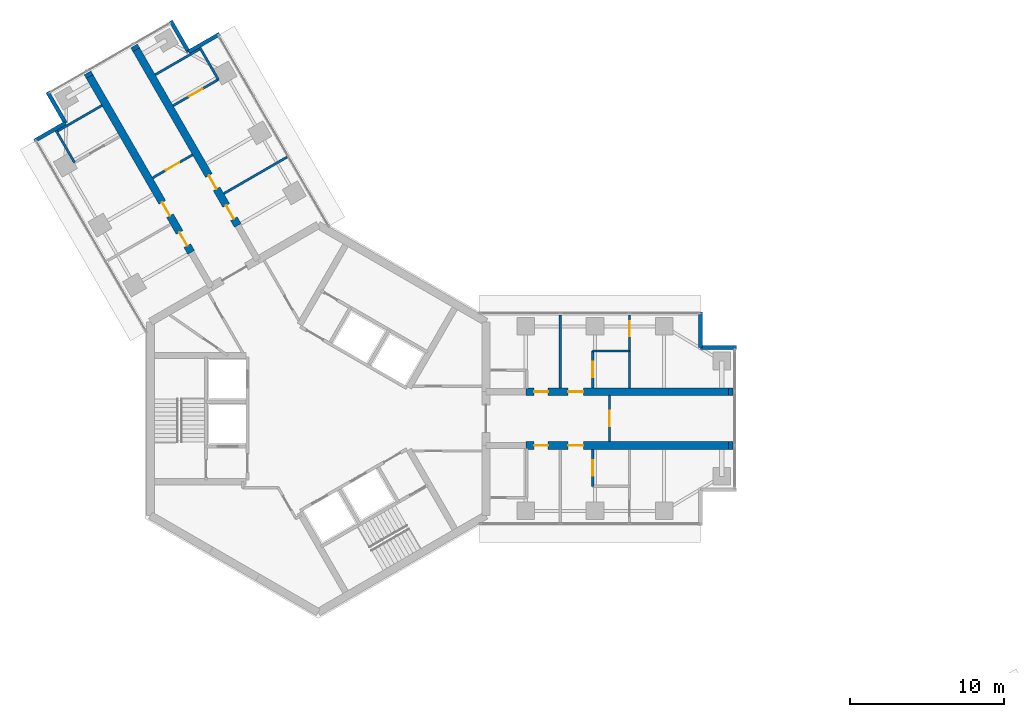
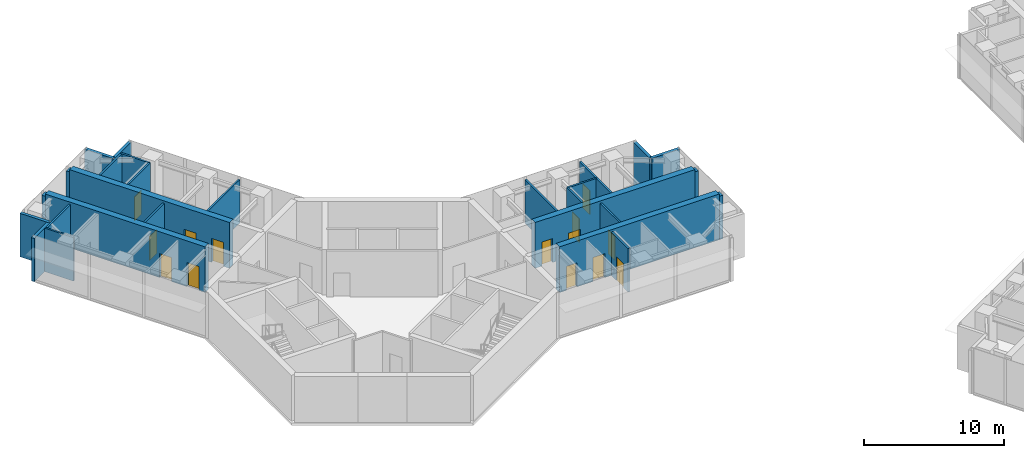
# One storey, part 13 of 17: 27 walls, 14 doors, 14 openings.
"""IFC4 building model written with IfcOpenShell, lengths in metres."""

import ifcopenshell
import ifcopenshell.guid

model = None  # the IFC model being written
_history = None  # IfcOwnerHistory: only IFC2X3 demands one
_inside = {}  # id of a spatial element -> (the spatial element, [elements in it])
_under = {}  # id of a project, library or spatial element -> (it, [spatial elements below it])
_declared = {}  # id of a project -> (the project, [libraries it declares])
_typed = {}  # id of a type object -> (the type object, [elements of that type])
_made_of = {}  # id of a material, layer set ... -> (it, [elements and type objects made of it])


def new_model(schema):
    """Start an empty IFC model of exactly this schema.

    Asked for "IFC4X3", IfcOpenShell would pick the latest addendum, in which some entities
    have other attributes; the version numbers below select the first issue.
    IFC2X3 requires an IfcOwnerHistory on every rooted entity: one is made here for all.
    """
    global model, _history
    if schema == "IFC4X3":
        model = ifcopenshell.file(schema_version=(4, 3, 0, 0))
    else:
        model = ifcopenshell.file(schema=schema)
    _inside.clear()
    _under.clear()
    _declared.clear()
    _typed.clear()
    _made_of.clear()
    _history = None
    if model.schema == "IFC2X3":
        org = make("IfcOrganization", Name="unknown")
        user = make(
            "IfcPersonAndOrganization",
            ThePerson=make("IfcPerson", FamilyName="unknown"),
            TheOrganization=org,
        )
        app = make(
            "IfcApplication",
            ApplicationDeveloper=org,
            Version="unknown",
            ApplicationFullName="unknown",
            ApplicationIdentifier="unknown",
        )
        _history = make(
            "IfcOwnerHistory",
            OwningUser=user,
            OwningApplication=app,
            ChangeAction="ADDED",
            CreationDate=0,
        )
    return model


def make(cls, **values):
    """One entity of the class cls with the attributes given. An attribute that is None is left unset."""
    return model.create_entity(
        cls, **{name: value for name, value in values.items() if value is not None}
    )


def rooted(cls, **values):
    """An entity with a GlobalId (a new one), such as an element, a storey or a relation."""
    return make(cls, GlobalId=ifcopenshell.guid.new(), OwnerHistory=_history, **values)


def si_unit(unit_type, name, prefix=None):
    """IfcSIUnit, for example si_unit("LENGTHUNIT", "METRE", prefix="MILLI")."""
    return make("IfcSIUnit", UnitType=unit_type, Prefix=prefix, Name=name)


def assignment(units):
    """IfcUnitAssignment: the units of a project."""
    return None if units is None else make("IfcUnitAssignment", Units=units)


def point(xyz):
    """IfcCartesianPoint."""
    return None if xyz is None else make("IfcCartesianPoint", Coordinates=xyz)


def direction(xyz):
    """IfcDirection."""
    return None if xyz is None else make("IfcDirection", DirectionRatios=xyz)


def frame(location, z_axis=None, x_axis=None):
    """IfcAxis2Placement3D, a coordinate frame: its origin and axes. An axis left out is left unset."""
    return make(
        "IfcAxis2Placement3D",
        Location=point(location),
        Axis=direction(z_axis),
        RefDirection=direction(x_axis),
    )


def frame_2d(location, x_axis=None):
    """IfcAxis2Placement2D, a coordinate frame in the plane: its origin and x axis."""
    return make(
        "IfcAxis2Placement2D", Location=point(location), RefDirection=direction(x_axis)
    )


def origin():
    """The frame at (0, 0, 0) with its axes left unset."""
    return frame((0.0, 0.0, 0.0))


def place(relative_to, where):
    """IfcLocalPlacement: puts the frame where relative to a parent placement (None: the world)."""
    return make(
        "IfcLocalPlacement", PlacementRelTo=relative_to, RelativePlacement=where
    )


def context(
    kind, dimensions, precision=None, world=None, true_north=None, identifier=None
):
    """IfcGeometricRepresentationContext, for example the 3D "Model" context."""
    return make(
        "IfcGeometricRepresentationContext",
        ContextIdentifier=identifier,
        ContextType=kind,
        CoordinateSpaceDimension=dimensions,
        Precision=precision,
        WorldCoordinateSystem=world,
        TrueNorth=true_north,
    )


def subcontext(parent, identifier, kind, view, scale=None):
    """IfcGeometricRepresentationSubContext, for example "Body" below "Model"."""
    return make(
        "IfcGeometricRepresentationSubContext",
        ContextIdentifier=identifier,
        ContextType=kind,
        ParentContext=parent,
        TargetScale=scale,
        TargetView=view,
    )


def project(units=None, contexts=None):
    """IfcProject with its units and contexts."""
    return rooted(
        "IfcProject",
        Name="project",
        RepresentationContexts=contexts,
        UnitsInContext=assignment(units),
    )


def spatial(cls, under=None, at=None, **own):
    """A site, building, storey or space (cls), placed at a placement, below another one or the project."""
    s = rooted(cls, ObjectPlacement=at, **own)
    if under is not None:
        _under.setdefault(under.id(), (under, []))[1].append(s)
    return s


def profile(cls, at=None, kind="AREA", **sizes):
    """A parametric profile (cls). Its sizes go by their IFC names, for example OverallWidth=200.0."""
    return make(cls, ProfileType=kind, Position=at, **sizes)


def rectangle(**sizes):
    """IfcRectangleProfileDef."""
    return profile("IfcRectangleProfileDef", **sizes)


def extrude(swept, where, along, depth):
    """IfcExtrudedAreaSolid: the profile swept, set in the frame where, extruded along a direction by depth."""
    return make(
        "IfcExtrudedAreaSolid",
        SweptArea=swept,
        Position=where,
        ExtrudedDirection=direction(along),
        Depth=depth,
    )


def shape(context_of_items, identifier, shape_type, items):
    """IfcShapeRepresentation: the items that make up one representation, for example the "Body"."""
    return make(
        "IfcShapeRepresentation",
        ContextOfItems=context_of_items,
        RepresentationIdentifier=identifier,
        RepresentationType=shape_type,
        Items=items,
    )


def material(Name=None, Category=None):
    """IfcMaterial."""
    return make("IfcMaterial", Name=Name, Category=Category)


def layer(
    of_material, thickness, ventilated=None, Name=None, Category=None, Priority=None
):
    """IfcMaterialLayer: one layer of a wall or slab, of a material (None: an air gap)."""
    return make(
        "IfcMaterialLayer",
        Material=of_material,
        LayerThickness=thickness,
        IsVentilated=ventilated,
        Name=Name,
        Category=Category,
        Priority=Priority,
    )


def layer_set(layers, Name=None):
    """IfcMaterialLayerSet."""
    return make("IfcMaterialLayerSet", MaterialLayers=layers, LayerSetName=Name)


def made_of(thing, what):
    """Note that an element or type object is made of a material, layer set ...; save() writes the relation."""
    if what is not None:
        _made_of.setdefault(what.id(), (what, []))[1].append(thing)
    return thing


def type_object(cls, material=None, **own):
    """A type object (cls), such as IfcWallType, which elements share."""
    return made_of(rooted(cls, **own), material)


def element(
    cls,
    number,
    at=None,
    inside=None,
    cuts=None,
    type_object=None,
    material=None,
    context=None,
    identifier="Body",
    shape_type=None,
    held_by="IfcProductDefinitionShape",
    body=None,
    shapes=None,
    **own,
):
    """One element of the class cls, such as IfcWall. Its Tag is "e" and its number.

    at: its placement. inside: the storey or other place that contains it. cuts: it is an
    opening in that element (IfcRelVoidsElement). A single representation is given by context,
    identifier, shape_type and body (its items); several are given by shapes. held_by: the class
    of the entity that holds the representations. save() writes the other relations.
    """
    e = rooted(cls, Tag="e%d" % number, ObjectPlacement=at, **own)
    if body is not None:
        shapes = [shape(context, identifier, shape_type, body)]
    if shapes is not None:
        e.Representation = make(held_by, Representations=shapes)
    if inside is not None:
        _inside.setdefault(inside.id(), (inside, []))[1].append(e)
    if cuts is not None:
        rooted(
            "IfcRelVoidsElement", RelatingBuildingElement=cuts, RelatedOpeningElement=e
        )
    if type_object is not None:
        _typed.setdefault(type_object.id(), (type_object, []))[1].append(e)
    return made_of(e, material)


def fill(opening, filler):
    """IfcRelFillsElement: the door or window that sits in an opening."""
    return rooted(
        "IfcRelFillsElement",
        RelatingOpeningElement=opening,
        RelatedBuildingElement=filler,
    )


def aggregate(whole, parts):
    """IfcRelAggregates: a whole, such as a stair, and the parts it consists of."""
    return rooted("IfcRelAggregates", RelatingObject=whole, RelatedObjects=parts)


def save(model, path):
    """Write the relations noted so far, then the file.

    IfcRelAggregates (storeys below a building ...), IfcRelContainedInSpatialStructure (elements
    in a storey), IfcRelDefinesByType, IfcRelAssociatesMaterial and IfcRelDeclares: one each for
    every whole, place, type object, material and project.
    """
    for whole, parts in _under.values():
        aggregate(whole, parts)
    for where, things in _inside.values():
        rooted(
            "IfcRelContainedInSpatialStructure",
            RelatedElements=things,
            RelatingStructure=where,
        )
    for kind, things in _typed.values():
        rooted("IfcRelDefinesByType", RelatedObjects=things, RelatingType=kind)
    for what, things in _made_of.values():
        rooted("IfcRelAssociatesMaterial", RelatedObjects=things, RelatingMaterial=what)
    for by, libraries in _declared.values():
        rooted("IfcRelDeclares", RelatingContext=by, RelatedDefinitions=libraries)
    model.write(path)


model = new_model("IFC4")

# Units and contexts
model_context = context("Model", 3, precision=1e-05, world=origin(), true_north=direction((0.0, 1.0)))
body_context = subcontext(model_context, "Body", "Model", "MODEL_VIEW")
ifc_project = project(units=[si_unit("LENGTHUNIT", "METRE"), si_unit("AREAUNIT", "SQUARE_METRE"), si_unit("VOLUMEUNIT", "CUBIC_METRE"), si_unit("PLANEANGLEUNIT", "RADIAN"), si_unit("MASSUNIT", "GRAM", prefix="KILO")], contexts=[model_context])

# Site, building, storey
site_placement = place(None, origin())
site = spatial("IfcSite", under=ifc_project, at=site_placement, CompositionType="ELEMENT")
building_placement = place(site_placement, origin())
building = spatial("IfcBuilding", under=site, at=building_placement, Name="Upepo Twin Towers", CompositionType="ELEMENT")
storey_placement = place(building_placement, frame((0.0, 0.0, 206.5)))
storey = spatial("IfcBuildingStorey", under=building, at=storey_placement, Name="L50", CompositionType="ELEMENT", Elevation=206.5)

# Walls
ifc_material_1 = material(Name="Dense concrete blockwork", Category="masonry")
ifc_layer_1 = layer(ifc_material_1, 0.5)
ifc_layer_set_1 = layer_set([ifc_layer_1], Name="Buttress closer 500, blockwork with fire-stopping to the curtain wall")
wall_type_1 = type_object("IfcWallType", Name="Buttress closer 500, blockwork with fire-stopping to the curtain wall", PredefinedType="PARTITIONING", material=ifc_layer_set_1)
for number, where, z_axis, x_axis, name in (
    (1, (26.699951171875, 1.75, 0.0), (0.0, 0.0, 1.0), (1.0, 0.0, 0.0), "T1 L50 wing A buttress closer L"),
    (2, (26.699951171875, -1.75, 0.0), (0.0, 0.0, 1.0), (1.0, 0.0, 0.0), "T1 L50 wing A buttress closer R"),
    (3, (-14.865478515625, 22.247802734375, 0.0), (0.0, 0.0, 1.0), (-0.500065409566, 0.86598763626, 0.0), "T1 L50 wing B buttress closer L"),
    (4, (-11.83447265625, 23.997802734375, 0.0), (0.0, 0.0, 1.0), (-0.500065409566, 0.86598763626, 0.0), "T1 L50 wing B buttress closer R"),
):
    element("IfcWall", number, at=place(storey_placement, frame(where, z_axis=z_axis, x_axis=x_axis)), inside=storey, type_object=wall_type_1, Name=name, PredefinedType="PARTITIONING", context=body_context, shape_type="SweptSolid", body=[
        extrude(rectangle(XDim=0.28759765625, YDim=0.5, at=frame_2d((0.143798828125, 0.0))), origin(), (0.0, 0.0, 1.0), 3.800048828125),
    ])

# Wall, openings, doors
ifc_material_2 = material(Name="Concrete C60/75", Category="concrete")
ifc_layer_2 = layer(ifc_material_2, 0.5)
ifc_layer_set_2 = layer_set([ifc_layer_2], Name="Concrete C60/75")
wall_type_2 = type_object("IfcWallType", Name="Buttress wall 500 RC", PredefinedType="SHEAR", material=ifc_layer_set_2)
wall_1_placement = place(storey_placement, frame((13.5, 1.75, 0.0), z_axis=(0.0, 0.0, 1.0), x_axis=(1.0, 0.0, 0.0)))
wall_1 = element("IfcWall", 5, at=wall_1_placement, inside=storey, type_object=wall_type_2, Name="T1 wing A buttress wall L part 2", PredefinedType="SHEAR", context=body_context, shape_type="SweptSolid", body=[
    extrude(rectangle(XDim=13.199951171875, YDim=0.5, at=frame_2d((6.60009765625, 0.0))), origin(), (0.0, 0.0, 1.0), 4.0),
])
opening_1_placement = place(wall_1_placement, frame((0.550048828125, 0.0, 0.0)))
opening_1 = element("IfcOpeningElement", 6, at=opening_1_placement, cuts=wall_1, Name="Opening D11", PredefinedType="OPENING", context=body_context, shape_type="SweptSolid", body=[
    extrude(rectangle(XDim=0.89990234375, YDim=2.10009765625, at=frame_2d((0.449951171875, 1.050048828125))), frame((0.0, 0.260009765625, 0.0), z_axis=(0.0, -1.0, 0.0), x_axis=(1.0, 0.0, 0.0)), (0.0, 0.0, 1.0), 0.52001953125),
])
opening_2_placement = place(wall_1_placement, frame((2.75, 0.0, 0.0)))
opening_2 = element("IfcOpeningElement", 7, at=opening_2_placement, cuts=wall_1, Name="Opening D1", PredefinedType="OPENING", context=body_context, shape_type="SweptSolid", body=[
    extrude(rectangle(XDim=1.0, YDim=2.10009765625, at=frame_2d((0.5, 1.050048828125))), frame((0.0, 0.260009765625, 0.0), z_axis=(0.0, -1.0, 0.0), x_axis=(1.0, 0.0, 0.0)), (0.0, 0.0, 1.0), 0.52001953125),
])
ifc_material_3 = material(Name="Timber doorset", Category="wood")
door_type_1 = type_object("IfcDoorType", Name="Room door 1000 FD30", OperationType="SINGLE_SWING_LEFT", PredefinedType="DOOR", material=ifc_material_3)
door_1_placement = place(opening_2_placement, origin())
door_1 = element("IfcDoor", 8, at=door_1_placement, inside=storey, type_object=door_type_1, Name="T1 L50 seminar room door", OperationType="SINGLE_SWING_LEFT", OverallHeight=2.10009765625, OverallWidth=1.0, PredefinedType="DOOR", context=body_context, shape_type="SweptSolid", body=[
    extrude(rectangle(XDim=1.0, YDim=2.10009765625, at=frame_2d((0.5, 1.050048828125))), frame((0.0, 0.02490234375, 0.0), z_axis=(0.0, -1.0, 0.0), x_axis=(1.0, 0.0, 0.0)), (0.0, 0.0, 1.0), 0.050048828125),
])
fill(opening_2, door_1)
ifc_material_4 = material(Name="Timber doorset", Category="wood")
door_type_2 = type_object("IfcDoorType", Name="Toilet door 900", OperationType="SINGLE_SWING_LEFT", PredefinedType="DOOR", material=ifc_material_4)
door_2_placement = place(opening_1_placement, origin())
door_2 = element("IfcDoor", 9, at=door_2_placement, inside=storey, type_object=door_type_2, Name="T1 L50 toilets door", OperationType="SINGLE_SWING_LEFT", OverallHeight=2.10009765625, OverallWidth=0.89990234375, PredefinedType="DOOR", context=body_context, shape_type="SweptSolid", body=[
    extrude(rectangle(XDim=0.89990234375, YDim=2.10009765625, at=frame_2d((0.449951171875, 1.050048828125))), frame((0.0, 0.02490234375, 0.0), z_axis=(0.0, -1.0, 0.0), x_axis=(1.0, 0.0, 0.0)), (0.0, 0.0, 1.0), 0.050048828125),
])
fill(opening_1, door_2)

wall_2_placement = place(storey_placement, frame((13.5, -1.75, 0.0), z_axis=(0.0, 0.0, 1.0), x_axis=(1.0, 0.0, 0.0)))
wall_2 = element("IfcWall", 10, at=wall_2_placement, inside=storey, type_object=wall_type_2, Name="T1 wing A buttress wall R part 2", PredefinedType="SHEAR", context=body_context, shape_type="SweptSolid", body=[
    extrude(rectangle(XDim=13.199951171875, YDim=0.5, at=frame_2d((6.60009765625, 0.0))), origin(), (0.0, 0.0, 1.0), 4.0),
])
opening_3_placement = place(wall_2_placement, frame((0.550048828125, 0.0, 0.0)))
opening_3 = element("IfcOpeningElement", 11, at=opening_3_placement, cuts=wall_2, Name="Opening D11", PredefinedType="OPENING", context=body_context, shape_type="SweptSolid", body=[
    extrude(rectangle(XDim=0.89990234375, YDim=2.10009765625, at=frame_2d((0.449951171875, 1.050048828125))), frame((0.0, 0.260009765625, 0.0), z_axis=(0.0, -1.0, 0.0), x_axis=(1.0, 0.0, 0.0)), (0.0, 0.0, 1.0), 0.52001953125),
])
opening_4_placement = place(wall_2_placement, frame((2.75, 0.0, 0.0)))
opening_4 = element("IfcOpeningElement", 12, at=opening_4_placement, cuts=wall_2, Name="Opening D1", PredefinedType="OPENING", context=body_context, shape_type="SweptSolid", body=[
    extrude(rectangle(XDim=1.0, YDim=2.10009765625, at=frame_2d((0.5, 1.050048828125))), frame((0.0, 0.260009765625, 0.0), z_axis=(0.0, -1.0, 0.0), x_axis=(1.0, 0.0, 0.0)), (0.0, 0.0, 1.0), 0.52001953125),
])
door_3_placement = place(opening_4_placement, origin())
door_3 = element("IfcDoor", 13, at=door_3_placement, inside=storey, type_object=door_type_1, Name="T1 L50 tutorial room door", OperationType="SINGLE_SWING_LEFT", OverallHeight=2.10009765625, OverallWidth=1.0, PredefinedType="DOOR", context=body_context, shape_type="SweptSolid", body=[
    extrude(rectangle(XDim=1.0, YDim=2.10009765625, at=frame_2d((0.5, 1.050048828125))), frame((0.0, 0.02490234375, 0.0), z_axis=(0.0, -1.0, 0.0), x_axis=(1.0, 0.0, 0.0)), (0.0, 0.0, 1.0), 0.050048828125),
])
fill(opening_4, door_3)
door_4_placement = place(opening_3_placement, origin())
door_4 = element("IfcDoor", 14, at=door_4_placement, inside=storey, type_object=door_type_2, Name="T1 L50 accessible wc door", OperationType="SINGLE_SWING_LEFT", OverallHeight=2.10009765625, OverallWidth=0.89990234375, PredefinedType="DOOR", context=body_context, shape_type="SweptSolid", body=[
    extrude(rectangle(XDim=0.89990234375, YDim=2.10009765625, at=frame_2d((0.449951171875, 1.050048828125))), frame((0.0, 0.02490234375, 0.0), z_axis=(0.0, -1.0, 0.0), x_axis=(1.0, 0.0, 0.0)), (0.0, 0.0, 1.0), 0.050048828125),
])
fill(opening_3, door_4)

wall_3_placement = place(storey_placement, frame((-8.265625, 10.81640625, 0.0), z_axis=(0.0, 0.0, 1.0), x_axis=(-0.499996231654, 0.866027579429, 0.0)))
wall_3 = element("IfcWall", 15, at=wall_3_placement, inside=storey, type_object=wall_type_2, Name="T1 wing B buttress wall L part 2", PredefinedType="SHEAR", context=body_context, shape_type="SweptSolid", body=[
    extrude(rectangle(XDim=13.19970703125, YDim=0.5, at=frame_2d((6.599853515625, 0.0))), origin(), (0.0, 0.0, 1.0), 4.0),
])
opening_5_placement = place(wall_3_placement, frame((0.5, 0.0, 0.0)))
opening_5 = element("IfcOpeningElement", 16, at=opening_5_placement, cuts=wall_3, Name="Opening D1", PredefinedType="OPENING", context=body_context, shape_type="SweptSolid", body=[
    extrude(rectangle(XDim=1.0, YDim=2.10009765625, at=frame_2d((0.5, 1.050048828125))), frame((0.0, 0.260009765625, 0.0), z_axis=(0.0, -1.0, 0.0), x_axis=(1.0, 0.0, 0.0)), (0.0, 0.0, 1.0), 0.52001953125),
])
opening_6_placement = place(wall_3_placement, frame((2.75, 0.0, 0.0)))
opening_6 = element("IfcOpeningElement", 17, at=opening_6_placement, cuts=wall_3, Name="Opening D1", PredefinedType="OPENING", context=body_context, shape_type="SweptSolid", body=[
    extrude(rectangle(XDim=1.0, YDim=2.10009765625, at=frame_2d((0.5, 1.050048828125))), frame((0.0, 0.260009765625, 0.0), z_axis=(0.0, -1.0, 0.0), x_axis=(1.0, 0.0, 0.0)), (0.0, 0.0, 1.0), 0.52001953125),
])
door_5_placement = place(opening_5_placement, origin())
door_5 = element("IfcDoor", 18, at=door_5_placement, inside=storey, type_object=door_type_1, Name="T1 L50 seminar room door", OperationType="SINGLE_SWING_LEFT", OverallHeight=2.10009765625, OverallWidth=1.0, PredefinedType="DOOR", context=body_context, shape_type="SweptSolid", body=[
    extrude(rectangle(XDim=1.0, YDim=2.10009765625, at=frame_2d((0.5, 1.050048828125))), frame((0.0, 0.02490234375, 0.0), z_axis=(0.0, -1.0, 0.0), x_axis=(1.0, 0.0, 0.0)), (0.0, 0.0, 1.0), 0.050048828125),
])
fill(opening_5, door_5)
door_6_placement = place(opening_6_placement, origin())
door_6 = element("IfcDoor", 19, at=door_6_placement, inside=storey, type_object=door_type_1, Name="T1 L50 engineering studio door", OperationType="SINGLE_SWING_LEFT", OverallHeight=2.10009765625, OverallWidth=1.0, PredefinedType="DOOR", context=body_context, shape_type="SweptSolid", body=[
    extrude(rectangle(XDim=1.0, YDim=2.10009765625, at=frame_2d((0.5, 1.050048828125))), frame((0.0, 0.02490234375, 0.0), z_axis=(0.0, -1.0, 0.0), x_axis=(1.0, 0.0, 0.0)), (0.0, 0.0, 1.0), 0.050048828125),
])
fill(opening_6, door_6)

wall_4_placement = place(storey_placement, frame((-5.234375, 12.56640625, 0.0), z_axis=(0.0, 0.0, 1.0), x_axis=(-0.500010103361, 0.866019570528, 0.0)))
wall_4 = element("IfcWall", 20, at=wall_4_placement, inside=storey, type_object=wall_type_2, Name="T1 wing B buttress wall R part 2", PredefinedType="SHEAR", context=body_context, shape_type="SweptSolid", body=[
    extrude(rectangle(XDim=13.199951171875, YDim=0.5, at=frame_2d((6.60009765625, 0.0))), origin(), (0.0, 0.0, 1.0), 4.0),
])
opening_7_placement = place(wall_4_placement, frame((0.5, 0.0, 0.0)))
opening_7 = element("IfcOpeningElement", 21, at=opening_7_placement, cuts=wall_4, Name="Opening D1", PredefinedType="OPENING", context=body_context, shape_type="SweptSolid", body=[
    extrude(rectangle(XDim=1.0, YDim=2.10009765625, at=frame_2d((0.5, 1.050048828125))), frame((0.0, 0.260009765625, 0.0), z_axis=(0.0, -1.0, 0.0), x_axis=(1.0, 0.0, 0.0)), (0.0, 0.0, 1.0), 0.52001953125),
])
opening_8_placement = place(wall_4_placement, frame((2.75, 0.0, 0.0)))
opening_8 = element("IfcOpeningElement", 22, at=opening_8_placement, cuts=wall_4, Name="Opening D1", PredefinedType="OPENING", context=body_context, shape_type="SweptSolid", body=[
    extrude(rectangle(XDim=1.0, YDim=2.10009765625, at=frame_2d((0.5, 1.050048828125))), frame((0.0, 0.260009765625, 0.0), z_axis=(0.0, -1.0, 0.0), x_axis=(1.0, 0.0, 0.0)), (0.0, 0.0, 1.0), 0.52001953125),
])
door_7_placement = place(opening_7_placement, origin())
door_7 = element("IfcDoor", 23, at=door_7_placement, inside=storey, type_object=door_type_1, Name="T1 L50 staff office door", OperationType="SINGLE_SWING_LEFT", OverallHeight=2.10009765625, OverallWidth=1.0, PredefinedType="DOOR", context=body_context, shape_type="SweptSolid", body=[
    extrude(rectangle(XDim=1.0, YDim=2.10009765625, at=frame_2d((0.5, 1.050048828125))), frame((0.0, 0.02490234375, 0.0), z_axis=(0.0, -1.0, 0.0), x_axis=(1.0, 0.0, 0.0)), (0.0, 0.0, 1.0), 0.050048828125),
])
fill(opening_7, door_7)
door_8_placement = place(opening_8_placement, origin())
door_8 = element("IfcDoor", 24, at=door_8_placement, inside=storey, type_object=door_type_1, Name="T1 L50 engineering studio door", OperationType="SINGLE_SWING_LEFT", OverallHeight=2.10009765625, OverallWidth=1.0, PredefinedType="DOOR", context=body_context, shape_type="SweptSolid", body=[
    extrude(rectangle(XDim=1.0, YDim=2.10009765625, at=frame_2d((0.5, 1.050048828125))), frame((0.0, 0.02490234375, 0.0), z_axis=(0.0, -1.0, 0.0), x_axis=(1.0, 0.0, 0.0)), (0.0, 0.0, 1.0), 0.050048828125),
])
fill(opening_8, door_8)

# Walls
ifc_material_5 = material(Name="Blockwork with anodised aluminium cladding", Category="masonry")
ifc_layer_3 = layer(ifc_material_5, 0.25)
ifc_layer_set_3 = layer_set([ifc_layer_3], Name="Notch cladding wall 250, pale metal")
wall_type_3 = type_object("IfcWallType", Name="Notch cladding wall 250, pale metal", PredefinedType="STANDARD", material=ifc_layer_set_3)
for number, where, z_axis, x_axis, name in (
    (25, (24.875, 6.949951171875, 0.0), (0.0, 0.0, 1.0), (0.0, -1.0, 0.0), "T1 L50 wing A notch wall L1"),
    (26, (24.875, 4.625, 0.0), (0.0, 0.0, 1.0), (1.0, 0.0, 0.0), "T1 L50 wing A notch wall L2"),
    (27, (-18.456298828125, 18.0673828125, 0.0), (0.0, 0.0, 1.0), (0.865998469481, 0.500046648681, 0.0), "T1 L50 wing B notch wall L1"),
    (28, (-16.44287109375, 19.22998046875, 0.0), (0.0, 0.0, 1.0), (-0.500046648681, 0.865998469481, 0.0), "T1 L50 wing B notch wall L2"),
    (29, (-6.418701171875, 25.017333984375, 0.0), (0.0, 0.0, 1.0), (-0.866043940782, -0.499967891604, 0.0), "T1 L50 wing B notch wall R1"),
    (30, (-8.43212890625, 23.85498046875, 0.0), (0.0, 0.0, 1.0), (-0.500046648681, 0.865998469481, 0.0), "T1 L50 wing B notch wall R2"),
):
    element("IfcWall", number, at=place(storey_placement, frame(where, z_axis=z_axis, x_axis=x_axis)), inside=storey, type_object=wall_type_3, Name=name, PredefinedType="STANDARD", context=body_context, shape_type="SweptSolid", body=[
        extrude(rectangle(XDim=2.324951171875, YDim=0.25, at=frame_2d((1.16259765625, 0.0))), origin(), (0.0, 0.0, 1.0), 3.800048828125),
    ])
ifc_material_6 = material(Name="Gypsum board on steel studs", Category="steel")
ifc_layer_4 = layer(ifc_material_6, 0.14990234375)
ifc_layer_set_4 = layer_set([ifc_layer_4], Name="Teaching partition 150 acoustic")
wall_type_4 = type_object("IfcWallType", Name="Teaching partition 150 acoustic", PredefinedType="PARTITIONING", material=ifc_layer_set_4)
wall_5_placement = place(storey_placement, frame((15.75, 2.0, 0.0), z_axis=(0.0, 0.0, 1.0), x_axis=(0.0, 1.0, 0.0)))
element("IfcWall", 31, at=wall_5_placement, inside=storey, type_object=wall_type_4, Name="T1 partition AL at 15.75", PredefinedType="PARTITIONING", context=body_context, shape_type="SweptSolid", body=[
    extrude(rectangle(XDim=4.75, YDim=0.14990234375, at=frame_2d((2.375, 0.0))), origin(), (0.0, 0.0, 1.0), 3.800048828125),
])

# Wall, opening, door
wall_6_placement = place(storey_placement, frame((20.25, 2.0, 0.0), z_axis=(0.0, 0.0, 1.0), x_axis=(0.0, 1.0, 0.0)))
wall_6 = element("IfcWall", 32, at=wall_6_placement, inside=storey, type_object=wall_type_4, Name="T1 partition AL at 20.25", PredefinedType="PARTITIONING", context=body_context, shape_type="SweptSolid", body=[
    extrude(rectangle(XDim=4.75, YDim=0.14990234375, at=frame_2d((2.375, 0.0))), origin(), (0.0, 0.0, 1.0), 3.800048828125),
])
opening_9_placement = place(wall_6_placement, frame((3.35009765625, 0.0, 0.0)))
opening_9 = element("IfcOpeningElement", 33, at=opening_9_placement, cuts=wall_6, Name="Opening D1", PredefinedType="OPENING", context=body_context, shape_type="SweptSolid", body=[
    extrude(rectangle(XDim=1.0, YDim=2.10009765625, at=frame_2d((0.5, 1.050048828125))), frame((0.0, 0.0849609375, 0.0), z_axis=(0.0, -1.0, 0.0), x_axis=(1.0, 0.0, 0.0)), (0.0, 0.0, 1.0), 0.169921875),
])
door_9_placement = place(opening_9_placement, origin())
door_9 = element("IfcDoor", 34, at=door_9_placement, inside=storey, type_object=door_type_1, Name="T1 L50 connecting door", OperationType="SINGLE_SWING_RIGHT", OverallHeight=2.10009765625, OverallWidth=1.0, PredefinedType="DOOR", context=body_context, shape_type="SweptSolid", body=[
    extrude(rectangle(XDim=1.0, YDim=2.10009765625, at=frame_2d((0.5, 1.050048828125))), frame((0.0, 0.02490234375, 0.0), z_axis=(0.0, -1.0, 0.0), x_axis=(1.0, 0.0, 0.0)), (0.0, 0.0, 1.0), 0.050048828125),
])
fill(opening_9, door_9)

# Wall
wall_7_placement = place(storey_placement, frame((17.85009765625, 4.39990234375, 0.0), z_axis=(0.0, 0.0, 1.0), x_axis=(1.0, 0.0, 0.0)))
element("IfcWall", 35, at=wall_7_placement, inside=storey, type_object=wall_type_4, Name="T1 inner room partition AL at 17.85", PredefinedType="PARTITIONING", context=body_context, shape_type="SweptSolid", body=[
    extrude(rectangle(XDim=2.39990234375, YDim=0.14990234375, at=frame_2d((1.199951171875, 0.0))), origin(), (0.0, 0.0, 1.0), 3.800048828125),
])

# Wall, opening, door
wall_8_placement = place(storey_placement, frame((17.85009765625, 2.0, 0.0), z_axis=(0.0, 0.0, 1.0), x_axis=(0.0, 1.0, 0.0)))
wall_8 = element("IfcWall", 36, at=wall_8_placement, inside=storey, type_object=wall_type_4, Name="T1 inner room partition AL end at 17.85", PredefinedType="PARTITIONING", context=body_context, shape_type="SweptSolid", body=[
    extrude(rectangle(XDim=2.39990234375, YDim=0.14990234375, at=frame_2d((1.199951171875, 0.0))), origin(), (0.0, 0.0, 1.0), 3.800048828125),
])
opening_10_placement = place(wall_8_placement, frame((0.699951171875, 0.0, 0.0)))
opening_10 = element("IfcOpeningElement", 37, at=opening_10_placement, cuts=wall_8, Name="Opening D1", PredefinedType="OPENING", context=body_context, shape_type="SweptSolid", body=[
    extrude(rectangle(XDim=1.0, YDim=2.10009765625, at=frame_2d((0.5, 1.050048828125))), frame((0.0, 0.0849609375, 0.0), z_axis=(0.0, -1.0, 0.0), x_axis=(1.0, 0.0, 0.0)), (0.0, 0.0, 1.0), 0.169921875),
])
door_10_placement = place(opening_10_placement, origin())
door_10 = element("IfcDoor", 38, at=door_10_placement, inside=storey, type_object=door_type_1, Name="T1 L50 inner room door", OperationType="SINGLE_SWING_LEFT", OverallHeight=2.10009765625, OverallWidth=1.0, PredefinedType="DOOR", context=body_context, shape_type="SweptSolid", body=[
    extrude(rectangle(XDim=1.0, YDim=2.10009765625, at=frame_2d((0.5, 1.050048828125))), frame((0.0, 0.02490234375, 0.0), z_axis=(0.0, -1.0, 0.0), x_axis=(1.0, 0.0, 0.0)), (0.0, 0.0, 1.0), 0.050048828125),
])
fill(opening_10, door_10)

wall_9_placement = place(storey_placement, frame((17.85009765625, -2.0, 0.0), z_axis=(0.0, 0.0, 1.0), x_axis=(0.0, -1.0, 0.0)))
wall_9 = element("IfcWall", 39, at=wall_9_placement, inside=storey, type_object=wall_type_4, Name="T1 inner room partition AR end at 17.85", PredefinedType="PARTITIONING", context=body_context, shape_type="SweptSolid", body=[
    extrude(rectangle(XDim=2.39990234375, YDim=0.14990234375, at=frame_2d((1.199951171875, 0.0))), origin(), (0.0, 0.0, 1.0), 3.800048828125),
])
opening_11_placement = place(wall_9_placement, frame((0.699951171875, 0.0, 0.0)))
opening_11 = element("IfcOpeningElement", 40, at=opening_11_placement, cuts=wall_9, Name="Opening D1", PredefinedType="OPENING", context=body_context, shape_type="SweptSolid", body=[
    extrude(rectangle(XDim=1.0, YDim=2.10009765625, at=frame_2d((0.5, 1.050048828125))), frame((0.0, 0.0849609375, 0.0), z_axis=(0.0, -1.0, 0.0), x_axis=(1.0, 0.0, 0.0)), (0.0, 0.0, 1.0), 0.169921875),
])
door_11_placement = place(opening_11_placement, origin())
door_11 = element("IfcDoor", 41, at=door_11_placement, inside=storey, type_object=door_type_1, Name="T1 L50 inner room door", OperationType="SINGLE_SWING_LEFT", OverallHeight=2.10009765625, OverallWidth=1.0, PredefinedType="DOOR", context=body_context, shape_type="SweptSolid", body=[
    extrude(rectangle(XDim=1.0, YDim=2.10009765625, at=frame_2d((0.5, 1.050048828125))), frame((0.0, 0.02490234375, 0.0), z_axis=(0.0, -1.0, 0.0), x_axis=(1.0, 0.0, 0.0)), (0.0, 0.0, 1.0), 0.050048828125),
])
fill(opening_11, door_11)

# Walls
wall_10_placement = place(storey_placement, frame((-15.8515625, 16.65576171875, 0.0), z_axis=(0.0, 0.0, 1.0), x_axis=(-0.500001309137, 0.866024647952, 0.0)))
element("IfcWall", 42, at=wall_10_placement, inside=storey, type_object=wall_type_4, Name="T1 inner room partition BL at 22.35", PredefinedType="PARTITIONING", context=body_context, shape_type="SweptSolid", body=[
    extrude(rectangle(XDim=2.39990234375, YDim=0.14990234375, at=frame_2d((1.199951171875, 0.0))), origin(), (0.0, 0.0, 1.0), 3.800048828125),
])
wall_11_placement = place(storey_placement, frame((-14.069580078125, 20.369140625, 0.0), z_axis=(0.0, 0.0, 1.0), x_axis=(-0.866020560687, -0.500008388397, 0.0)))
element("IfcWall", 43, at=wall_11_placement, inside=storey, type_object=wall_type_4, Name="T1 inner room partition BL end at 24.75", PredefinedType="PARTITIONING", context=body_context, shape_type="SweptSolid", body=[
    extrude(rectangle(XDim=3.39990234375, YDim=0.14990234375, at=frame_2d((1.699951171875, 0.0))), origin(), (0.0, 0.0, 1.0), 3.800048828125),
])
wall_12_placement = place(storey_placement, frame((-6.14306640625, 14.639892578125, 0.0), z_axis=(0.0, 0.0, 1.0), x_axis=(0.866033238375, 0.499986429846, 0.0)))
element("IfcWall", 44, at=wall_12_placement, inside=storey, type_object=wall_type_4, Name="T1 partition BR at 15.75", PredefinedType="PARTITIONING", context=body_context, shape_type="SweptSolid", body=[
    extrude(rectangle(XDim=4.750244140625, YDim=0.14990234375, at=frame_2d((2.375, 0.0))), origin(), (0.0, 0.0, 1.0), 3.800048828125),
])
wall_13_placement = place(storey_placement, frame((-6.49853515625, 22.0556640625, 0.0), z_axis=(0.0, 0.0, 1.0), x_axis=(-0.500001309137, 0.866024647952, 0.0)))
element("IfcWall", 45, at=wall_13_placement, inside=storey, type_object=wall_type_4, Name="T1 inner room partition BR at 22.35", PredefinedType="PARTITIONING", context=body_context, shape_type="SweptSolid", body=[
    extrude(rectangle(XDim=2.39990234375, YDim=0.14990234375, at=frame_2d((1.199951171875, 0.0))), origin(), (0.0, 0.0, 1.0), 3.800048828125),
])

# Wall, opening, door
wall_14_placement = place(storey_placement, frame((-9.44287109375, 20.355712890625, 0.0), z_axis=(0.0, 0.0, 1.0), x_axis=(0.866020560687, 0.500008388397, 0.0)))
wall_14 = element("IfcWall", 46, at=wall_14_placement, inside=storey, type_object=wall_type_4, Name="T1 inner room partition BR end at 22.35", PredefinedType="PARTITIONING", context=body_context, shape_type="SweptSolid", body=[
    extrude(rectangle(XDim=3.39990234375, YDim=0.14990234375, at=frame_2d((1.699951171875, 0.0))), origin(), (0.0, 0.0, 1.0), 3.800048828125),
])
opening_12_placement = place(wall_14_placement, frame((1.199951171875, 0.0, 0.0)))
opening_12 = element("IfcOpeningElement", 47, at=opening_12_placement, cuts=wall_14, Name="Opening D1", PredefinedType="OPENING", context=body_context, shape_type="SweptSolid", body=[
    extrude(rectangle(XDim=1.0, YDim=2.10009765625, at=frame_2d((0.5, 1.050048828125))), frame((0.0, 0.0849609375, 0.0), z_axis=(0.0, -1.0, 0.0), x_axis=(1.0, 0.0, 0.0)), (0.0, 0.0, 1.0), 0.169921875),
])
door_12_placement = place(opening_12_placement, origin())
door_12 = element("IfcDoor", 48, at=door_12_placement, inside=storey, type_object=door_type_1, Name="T1 L50 inner room door", OperationType="SINGLE_SWING_LEFT", OverallHeight=2.10009765625, OverallWidth=1.0, PredefinedType="DOOR", context=body_context, shape_type="SweptSolid", body=[
    extrude(rectangle(XDim=1.0, YDim=2.10009765625, at=frame_2d((0.5, 1.050048828125))), frame((0.0, 0.02490234375, 0.0), z_axis=(0.0, -1.0, 0.0), x_axis=(1.0, 0.0, 0.0)), (0.0, 0.0, 1.0), 0.050048828125),
])
fill(opening_12, door_12)

# Wall
wall_15_placement = place(storey_placement, frame((-10.60546875, 22.369140625, 0.0), z_axis=(0.0, 0.0, 1.0), x_axis=(0.866038511948, 0.499977295307, 0.0)))
element("IfcWall", 49, at=wall_15_placement, inside=storey, type_object=wall_type_4, Name="T1 inner room partition BR end at 24.75", PredefinedType="PARTITIONING", context=body_context, shape_type="SweptSolid", body=[
    extrude(rectangle(XDim=3.400146484375, YDim=0.14990234375, at=frame_2d((1.7001953125, 0.0))), origin(), (0.0, 0.0, 1.0), 3.800048828125),
])

# Wall, opening, door
wall_16_placement = place(storey_placement, frame((18.949951171875, -1.5, 0.0), z_axis=(0.0, 0.0, 1.0), x_axis=(0.0, 1.0, 0.0)))
wall_16 = element("IfcWall", 50, at=wall_16_placement, inside=storey, type_object=wall_type_4, Name="T1 corridor end partition A at 18.95", PredefinedType="PARTITIONING", context=body_context, shape_type="SweptSolid", body=[
    extrude(rectangle(XDim=3.0, YDim=0.14990234375, at=frame_2d((1.5, 0.0))), origin(), (0.0, 0.0, 1.0), 3.800048828125),
])
opening_13_placement = place(wall_16_placement, frame((1.0, 0.0, 0.0)))
opening_13 = element("IfcOpeningElement", 51, at=opening_13_placement, cuts=wall_16, Name="Opening D1", PredefinedType="OPENING", context=body_context, shape_type="SweptSolid", body=[
    extrude(rectangle(XDim=1.0, YDim=2.10009765625, at=frame_2d((0.5, 1.050048828125))), frame((0.0, 0.0849609375, 0.0), z_axis=(0.0, -1.0, 0.0), x_axis=(1.0, 0.0, 0.0)), (0.0, 0.0, 1.0), 0.169921875),
])
door_13_placement = place(opening_13_placement, origin())
door_13 = element("IfcDoor", 52, at=door_13_placement, inside=storey, type_object=door_type_1, Name="T1 L50 breakout study room door", OperationType="SINGLE_SWING_LEFT", OverallHeight=2.10009765625, OverallWidth=1.0, PredefinedType="DOOR", context=body_context, shape_type="SweptSolid", body=[
    extrude(rectangle(XDim=1.0, YDim=2.10009765625, at=frame_2d((0.5, 1.050048828125))), frame((0.0, 0.02490234375, 0.0), z_axis=(0.0, -1.0, 0.0), x_axis=(1.0, 0.0, 0.0)), (0.0, 0.0, 1.0), 0.050048828125),
])
fill(opening_13, door_13)

wall_17_placement = place(storey_placement, frame((-8.176025390625, 17.1611328125, 0.0), z_axis=(0.0, 0.0, 1.0), x_axis=(-0.866010750942, -0.50002537861, 0.0)))
wall_17 = element("IfcWall", 53, at=wall_17_placement, inside=storey, type_object=wall_type_4, Name="T1 corridor end partition B at 18.95", PredefinedType="PARTITIONING", context=body_context, shape_type="SweptSolid", body=[
    extrude(rectangle(XDim=2.999755859375, YDim=0.14990234375, at=frame_2d((1.5, 0.0))), origin(), (0.0, 0.0, 1.0), 3.800048828125),
])
opening_14_placement = place(wall_17_placement, frame((1.0, 0.0, 0.0)))
opening_14 = element("IfcOpeningElement", 54, at=opening_14_placement, cuts=wall_17, Name="Opening D1", PredefinedType="OPENING", context=body_context, shape_type="SweptSolid", body=[
    extrude(rectangle(XDim=1.0, YDim=2.10009765625, at=frame_2d((0.5, 1.050048828125))), frame((0.0, 0.0849609375, 0.0), z_axis=(0.0, -1.0, 0.0), x_axis=(1.0, 0.0, 0.0)), (0.0, 0.0, 1.0), 0.169921875),
])
door_14_placement = place(opening_14_placement, origin())
door_14 = element("IfcDoor", 55, at=door_14_placement, inside=storey, type_object=door_type_1, Name="T1 L50 breakout study room door", OperationType="SINGLE_SWING_RIGHT", OverallHeight=2.10009765625, OverallWidth=1.0, PredefinedType="DOOR", context=body_context, shape_type="SweptSolid", body=[
    extrude(rectangle(XDim=1.0, YDim=2.10009765625, at=frame_2d((0.5, 1.050048828125))), frame((0.0, 0.02490234375, 0.0), z_axis=(0.0, -1.0, 0.0), x_axis=(1.0, 0.0, 0.0)), (0.0, 0.0, 1.0), 0.050048828125),
])
fill(opening_14, door_14)

save(model, "model.ifc")
